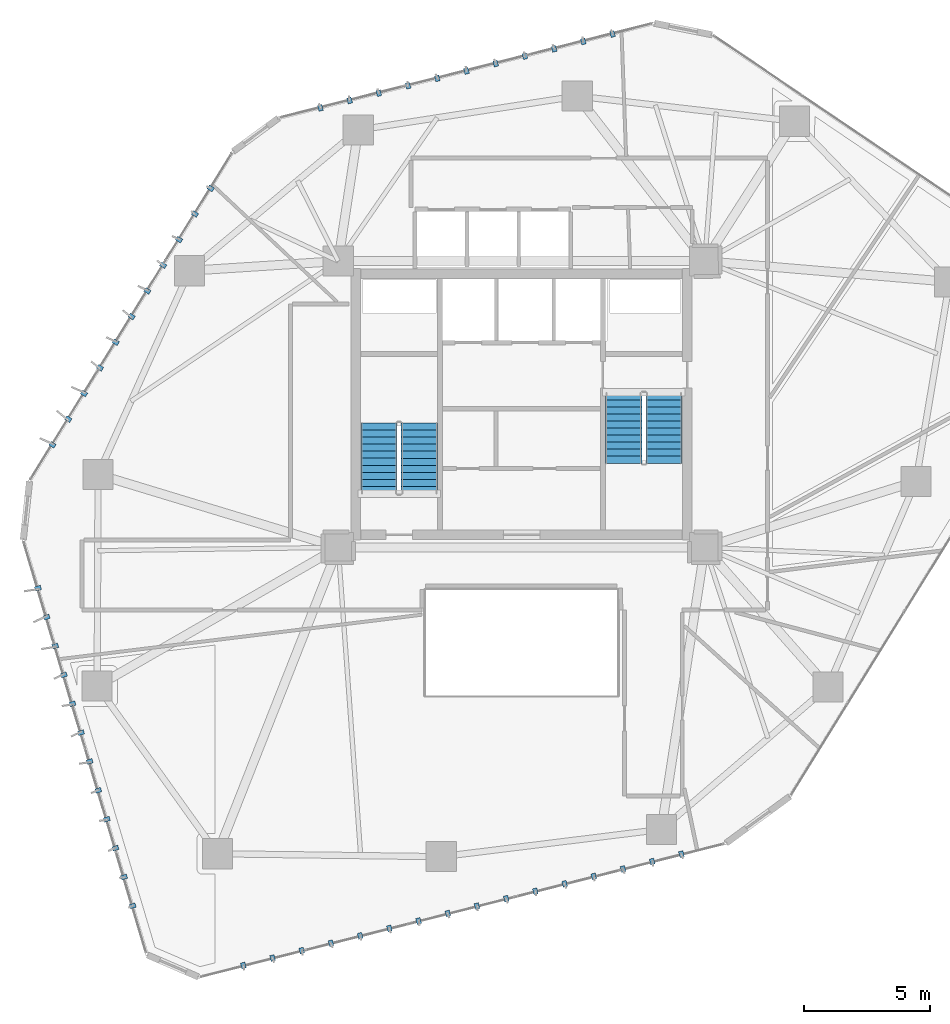
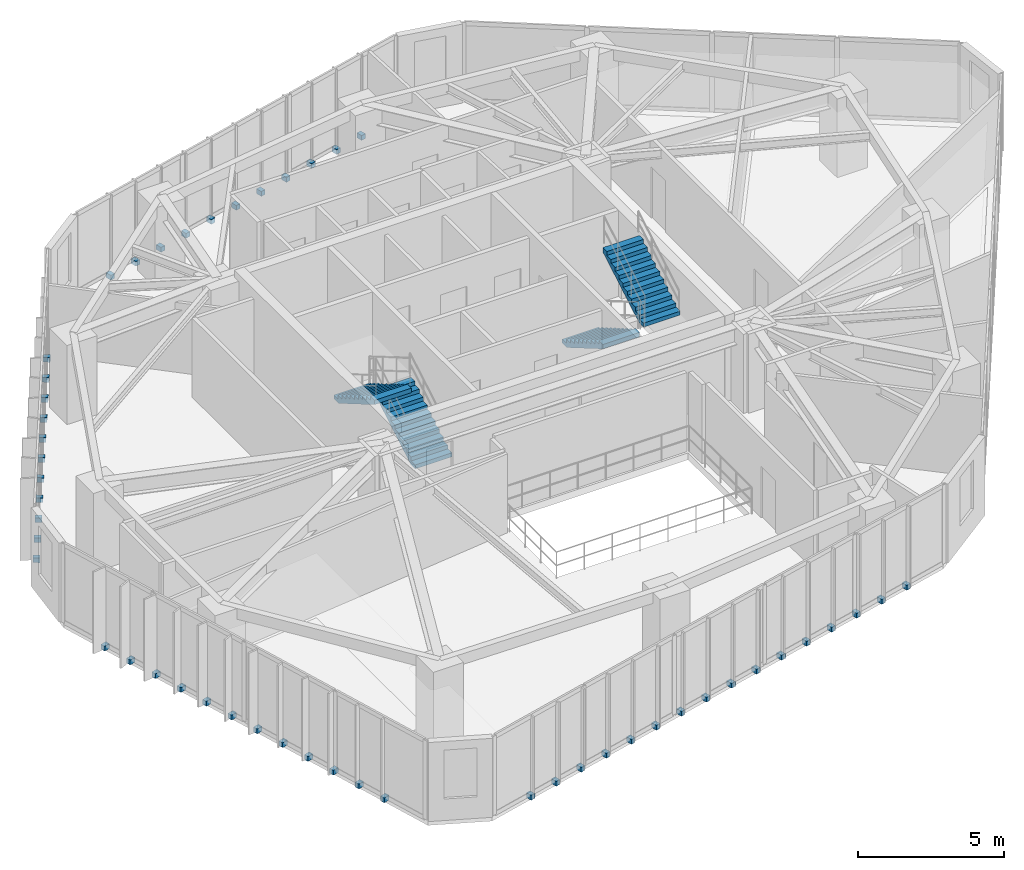
# One storey, part 18 of 20: 50 discrete accessories, 4 stair flights, 2 elements without a shape of their own.
"""IFC4 building model written with IfcOpenShell, lengths in metres."""

from ifc_helpers import new_model, si_unit, direction, frame, origin, origin_2d, place, context, subcontext, project, spatial, polyline, rectangle, outline, extrude, source, transform, mapped, material, layer, layer_set, type_object, type_shapes, element, aggregate, save


model = new_model("IFC4")

# Units and contexts
model_context = context("Model", 3, precision=1e-05, world=origin(), true_north=direction((0.0, 1.0)))
body_context = subcontext(model_context, "Body", "Model", "MODEL_VIEW")
ifc_project = project(units=[si_unit("LENGTHUNIT", "METRE"), si_unit("AREAUNIT", "SQUARE_METRE"), si_unit("VOLUMEUNIT", "CUBIC_METRE"), si_unit("PLANEANGLEUNIT", "RADIAN"), si_unit("MASSUNIT", "GRAM", prefix="KILO")], contexts=[model_context])

# Site, building, storey
site_placement = place(None, origin())
site = spatial("IfcSite", under=ifc_project, at=site_placement, CompositionType="ELEMENT")
building_placement = place(site_placement, origin())
building = spatial("IfcBuilding", under=site, at=building_placement, Name="Talar Marvaseh", CompositionType="ELEMENT")
storey_placement = place(building_placement, frame((0.0, 0.0, 132.60009765625)))
storey = spatial("IfcBuildingStorey", under=building, at=storey_placement, Name="L34", CompositionType="ELEMENT", Elevation=132.60009765625)

# Stair, stair flights
ifc_material_1 = material(Name="Concrete C40/50", Category="concrete")
stair_type = type_object("IfcStairType", Name="Reinforced Concrete Half-Turn Exit Stair Type B", PredefinedType="HALF_TURN_STAIR", material=ifc_material_1)
stair_1_placement = place(storey_placement, origin())
stair_1 = element("IfcStair", 1, at=stair_1_placement, inside=storey, type_object=stair_type, Name="L34 Tower West Core Exit Stair", PredefinedType="HALF_TURN_STAIR")
ifc_layer = layer(ifc_material_1, 0.159912109375)
ifc_layer_set = layer_set([ifc_layer], Name="Concrete C40/50")
stair_flight_type = type_object("IfcStairFlightType", Name="Reinforced Concrete Straight Stair Flight 160", PredefinedType="STRAIGHT", material=ifc_layer_set)
stair_flight_1_placement = place(storey_placement, frame((21.93505859375, 27.64990234375, 0.0), z_axis=(0.0, 0.0, 1.0), x_axis=(0.0, 1.0, 0.0)))
stair_flight_1 = element("IfcStairFlight", 2, at=stair_flight_1_placement, type_object=stair_flight_type, Name="ST-1 flight 1", NumberOfRisers=11, NumberOfTreads=10, PredefinedType="STRAIGHT", RiserHeight=0.163636364, TreadLength=0.28, context=body_context, shape_type="SweptSolid", body=[
    extrude(outline(polyline([(0.0, 0.0), (0.0, 0.16357421875), (0.280029296875, 0.16357421875), (0.280029296875, 0.327392578125), (0.56005859375, 0.327392578125), (0.56005859375, 0.490966796875), (0.840087890625, 0.490966796875), (0.840087890625, 0.654541015625), (1.1201171875, 0.654541015625), (1.1201171875, 0.818115234375), (1.39990234375, 0.818115234375), (1.39990234375, 0.98193359375), (1.679931640625, 0.98193359375), (1.679931640625, 1.1455078125), (1.9599609375, 1.1455078125), (1.9599609375, 1.30908203125), (2.239990234375, 1.30908203125), (2.239990234375, 1.47265625), (2.52001953125, 1.47265625), (2.52001953125, 1.636474609375), (2.800048828125, 1.636474609375), (2.800048828125, 1.800048828125), (2.800048828125, 1.451171875), (0.31689453125, 0.0), (0.0, 0.0)])), frame((0.0, 0.72509765625, 0.0), z_axis=(0.0, -1.0, 0.0), x_axis=(1.0, 0.0, 0.0)), (0.0, 0.0, 1.0), 1.449951171875),
])
stair_flight_2_placement = place(storey_placement, frame((20.324951171875, 30.449951171875, 1.7998046875), z_axis=(0.0, 0.0, 1.0), x_axis=(0.0, -1.0, 0.0)))
stair_flight_2 = element("IfcStairFlight", 3, at=stair_flight_2_placement, type_object=stair_flight_type, Name="ST-1 flight 2", NumberOfRisers=11, NumberOfTreads=10, PredefinedType="STRAIGHT", RiserHeight=0.163636364, TreadLength=0.28, context=body_context, shape_type="SweptSolid", body=[
    extrude(outline(polyline([(0.0, 0.0), (0.0, 0.16357421875), (0.280029296875, 0.16357421875), (0.280029296875, 0.327392578125), (0.56005859375, 0.327392578125), (0.56005859375, 0.490966796875), (0.840087890625, 0.490966796875), (0.840087890625, 0.654541015625), (1.1201171875, 0.654541015625), (1.1201171875, 0.818115234375), (1.39990234375, 0.818115234375), (1.39990234375, 0.98193359375), (1.679931640625, 0.98193359375), (1.679931640625, 1.1455078125), (1.9599609375, 1.1455078125), (1.9599609375, 1.30908203125), (2.239990234375, 1.30908203125), (2.239990234375, 1.47265625), (2.52001953125, 1.47265625), (2.52001953125, 1.636474609375), (2.800048828125, 1.636474609375), (2.800048828125, 1.800048828125), (2.800048828125, 1.451171875), (0.31689453125, 0.0), (0.0, 0.0)])), frame((0.0, 0.72509765625, 0.0), z_axis=(0.0, -1.0, 0.0), x_axis=(1.0, 0.0, 0.0)), (0.0, 0.0, 1.0), 1.449951171875),
])
aggregate(stair_1, [stair_flight_1, stair_flight_2])

stair_2_placement = place(storey_placement, origin())
stair_2 = element("IfcStair", 4, at=stair_2_placement, inside=storey, type_object=stair_type, Name="L34 Tower East Core Exit Stair", PredefinedType="HALF_TURN_STAIR")
stair_flight_3_placement = place(storey_placement, frame((30.06494140625, 31.64990234375, 0.0), z_axis=(0.0, 0.0, 1.0), x_axis=(0.0, -1.0, 0.0)))
stair_flight_3 = element("IfcStairFlight", 5, at=stair_flight_3_placement, type_object=stair_flight_type, Name="ST-2 flight 1", NumberOfRisers=11, NumberOfTreads=10, PredefinedType="STRAIGHT", RiserHeight=0.163636364, TreadLength=0.28, context=body_context, shape_type="SweptSolid", body=[
    extrude(outline(polyline([(0.0, 0.0), (0.0, 0.16357421875), (0.280029296875, 0.16357421875), (0.280029296875, 0.327392578125), (0.56005859375, 0.327392578125), (0.56005859375, 0.490966796875), (0.840087890625, 0.490966796875), (0.840087890625, 0.654541015625), (1.1201171875, 0.654541015625), (1.1201171875, 0.818115234375), (1.39990234375, 0.818115234375), (1.39990234375, 0.98193359375), (1.679931640625, 0.98193359375), (1.679931640625, 1.1455078125), (1.9599609375, 1.1455078125), (1.9599609375, 1.30908203125), (2.239990234375, 1.30908203125), (2.239990234375, 1.47265625), (2.52001953125, 1.47265625), (2.52001953125, 1.636474609375), (2.800048828125, 1.636474609375), (2.800048828125, 1.800048828125), (2.800048828125, 1.451171875), (0.31689453125, 0.0), (0.0, 0.0)])), frame((0.0, 0.72509765625, 0.0), z_axis=(0.0, -1.0, 0.0), x_axis=(1.0, 0.0, 0.0)), (0.0, 0.0, 1.0), 1.449951171875),
])
stair_flight_4_placement = place(storey_placement, frame((31.675048828125, 28.85009765625, 1.7998046875), z_axis=(0.0, 0.0, 1.0), x_axis=(0.0, 1.0, 0.0)))
stair_flight_4 = element("IfcStairFlight", 6, at=stair_flight_4_placement, type_object=stair_flight_type, Name="ST-2 flight 2", NumberOfRisers=11, NumberOfTreads=10, PredefinedType="STRAIGHT", RiserHeight=0.163636364, TreadLength=0.28, context=body_context, shape_type="SweptSolid", body=[
    extrude(outline(polyline([(0.0, 0.0), (0.0, 0.16357421875), (0.280029296875, 0.16357421875), (0.280029296875, 0.327392578125), (0.56005859375, 0.327392578125), (0.56005859375, 0.490966796875), (0.840087890625, 0.490966796875), (0.840087890625, 0.654541015625), (1.1201171875, 0.654541015625), (1.1201171875, 0.818115234375), (1.39990234375, 0.818115234375), (1.39990234375, 0.98193359375), (1.679931640625, 0.98193359375), (1.679931640625, 1.1455078125), (1.9599609375, 1.1455078125), (1.9599609375, 1.30908203125), (2.239990234375, 1.30908203125), (2.239990234375, 1.47265625), (2.52001953125, 1.47265625), (2.52001953125, 1.636474609375), (2.800048828125, 1.636474609375), (2.800048828125, 1.800048828125), (2.800048828125, 1.451171875), (0.31689453125, 0.0), (0.0, 0.0)])), frame((0.0, 0.72509765625, 0.0), z_axis=(0.0, -1.0, 0.0), x_axis=(1.0, 0.0, 0.0)), (0.0, 0.0, 1.0), 1.449951171875),
])
aggregate(stair_2, [stair_flight_3, stair_flight_4])

# Discrete accessories
ifc_material_2 = material(Name="Stainless Steel Grade 316", Category="steel")
discrete_accessory_type = type_object("IfcDiscreteAccessoryType", Name="Stainless Slab-Edge Fin Mounting Bracket", PredefinedType="BRACKET", material=ifc_material_2)
shared_shape = source(origin(), body_context, "Body", "SweptSolid", [
    extrude(rectangle(XDim=0.239990234375, YDim=0.179931640625, at=origin_2d()), origin(), (0.0, 0.0, 1.0), 0.199951171875),
])
type_shapes(discrete_accessory_type, [shared_shape])
for number, where, z_axis, x_axis, name in (
    (7, (10.5166015625, 11.22265625, -0.18017578125), (0.0, 0.0, 1.0), (-0.958322574465, -0.285688367405, 0.0), "L34 Vertical Fin Slab-Edge Bracket"),
    (8, (10.174072265625, 12.372802734375, -0.18017578125), (0.0, 0.0, 1.0), (-0.958322574465, -0.285688367405, 0.0), "L34 Vertical Fin Slab-Edge Bracket"),
    (9, (9.831298828125, 13.522705078125, -0.18017578125), (0.0, 0.0, 1.0), (-0.958322574465, -0.285688367405, 0.0), "L34 Vertical Fin Slab-Edge Bracket"),
    (10, (9.488525390625, 14.6728515625, -0.18017578125), (0.0, 0.0, 1.0), (-0.958322574465, -0.285688367405, 0.0), "L34 Vertical Fin Slab-Edge Bracket"),
    (11, (9.145751953125, 15.82275390625, -0.18017578125), (0.0, 0.0, 1.0), (-0.958322574465, -0.285688367405, 0.0), "L34 Vertical Fin Slab-Edge Bracket"),
    (12, (8.802978515625, 16.972900390625, -0.18017578125), (0.0, 0.0, 1.0), (-0.958322574465, -0.285688367405, 0.0), "L34 Vertical Fin Slab-Edge Bracket"),
    (13, (8.460205078125, 18.122802734375, -0.18017578125), (0.0, 0.0, 1.0), (-0.958322574465, -0.285688367405, 0.0), "L34 Vertical Fin Slab-Edge Bracket"),
    (14, (8.117431640625, 19.272705078125, -0.18017578125), (0.0, 0.0, 1.0), (-0.958322574465, -0.285688367405, 0.0), "L34 Vertical Fin Slab-Edge Bracket"),
    (15, (7.774658203125, 20.4228515625, -0.18017578125), (0.0, 0.0, 1.0), (-0.958322574465, -0.285688367405, 0.0), "L34 Vertical Fin Slab-Edge Bracket"),
    (16, (7.431884765625, 21.57275390625, -0.18017578125), (0.0, 0.0, 1.0), (-0.958322574465, -0.285688367405, 0.0), "L34 Vertical Fin Slab-Edge Bracket"),
    (17, (7.089111328125, 22.722900390625, -0.18017578125), (0.0, 0.0, 1.0), (-0.958322574465, -0.285688367405, 0.0), "L34 Vertical Fin Slab-Edge Bracket"),
    (18, (6.746337890625, 23.872802734375, -0.18017578125), (0.0, 0.0, 1.0), (-0.958322574465, -0.285688367405, 0.0), "L34 Vertical Fin Slab-Edge Bracket"),
    (19, (7.320556640625, 29.587890625, -0.18017578125), (0.0, 0.0, 1.0), (-0.850994481795, 0.525174629961, 0.0), "L34 Vertical Fin Slab-Edge Bracket"),
    (20, (7.950927734375, 30.60888671875, -0.18017578125), (0.0, 0.0, 1.0), (-0.850994481795, 0.525174629961, 0.0), "L34 Vertical Fin Slab-Edge Bracket"),
    (21, (8.5810546875, 31.630126953125, -0.18017578125), (0.0, 0.0, 1.0), (-0.850994481795, 0.525174629961, 0.0), "L34 Vertical Fin Slab-Edge Bracket"),
    (22, (9.21142578125, 32.6513671875, -0.18017578125), (0.0, 0.0, 1.0), (-0.850994481795, 0.525174629961, 0.0), "L34 Vertical Fin Slab-Edge Bracket"),
    (23, (9.841552734375, 33.672607421875, -0.18017578125), (0.0, 0.0, 1.0), (-0.850994481795, 0.525174629961, 0.0), "L34 Vertical Fin Slab-Edge Bracket"),
    (24, (10.471923828125, 34.693603515625, -0.18017578125), (0.0, 0.0, 1.0), (-0.850994481795, 0.525174629961, 0.0), "L34 Vertical Fin Slab-Edge Bracket"),
    (25, (11.10205078125, 35.71484375, -0.18017578125), (0.0, 0.0, 1.0), (-0.850994481795, 0.525174629961, 0.0), "L34 Vertical Fin Slab-Edge Bracket"),
    (26, (11.732421875, 36.736083984375, -0.18017578125), (0.0, 0.0, 1.0), (-0.850994481795, 0.525174629961, 0.0), "L34 Vertical Fin Slab-Edge Bracket"),
    (27, (12.362548828125, 37.757080078125, -0.18017578125), (0.0, 0.0, 1.0), (-0.850994481795, 0.525174629961, 0.0), "L34 Vertical Fin Slab-Edge Bracket"),
    (28, (12.992919921875, 38.7783203125, -0.18017578125), (0.0, 0.0, 1.0), (-0.850994481795, 0.525174629961, 0.0), "L34 Vertical Fin Slab-Edge Bracket"),
    (29, (13.623046875, 39.799560546875, -0.18017578125), (0.0, 0.0, 1.0), (-0.850994481795, 0.525174629961, 0.0), "L34 Vertical Fin Slab-Edge Bracket"),
    (30, (17.991455078125, 43.002685546875, -0.18017578125), (0.0, 0.0, 1.0), (-0.244968970675, 0.969530919263, 0.0), "L34 Vertical Fin Slab-Edge Bracket"),
    (31, (19.15478515625, 43.296630859375, -0.18017578125), (0.0, 0.0, 1.0), (-0.244968970675, 0.969530919263, 0.0), "L34 Vertical Fin Slab-Edge Bracket"),
    (32, (20.318359375, 43.590576171875, -0.18017578125), (0.0, 0.0, 1.0), (-0.244968970675, 0.969530919263, 0.0), "L34 Vertical Fin Slab-Edge Bracket"),
    (33, (21.481689453125, 43.884521484375, -0.18017578125), (0.0, 0.0, 1.0), (-0.244968970675, 0.969530919263, 0.0), "L34 Vertical Fin Slab-Edge Bracket"),
    (34, (22.645263671875, 44.1787109375, -0.18017578125), (0.0, 0.0, 1.0), (-0.244968970675, 0.969530919263, 0.0), "L34 Vertical Fin Slab-Edge Bracket"),
    (35, (23.80859375, 44.47265625, -0.18017578125), (0.0, 0.0, 1.0), (-0.244968970675, 0.969530919263, 0.0), "L34 Vertical Fin Slab-Edge Bracket"),
    (36, (24.97216796875, 44.7666015625, -0.18017578125), (0.0, 0.0, 1.0), (-0.244968970675, 0.969530919263, 0.0), "L34 Vertical Fin Slab-Edge Bracket"),
    (37, (26.135498046875, 45.060546875, -0.18017578125), (0.0, 0.0, 1.0), (-0.244968970675, 0.969530919263, 0.0), "L34 Vertical Fin Slab-Edge Bracket"),
    (38, (27.298828125, 45.354736328125, -0.18017578125), (0.0, 0.0, 1.0), (-0.244968970675, 0.969530919263, 0.0), "L34 Vertical Fin Slab-Edge Bracket"),
    (39, (28.46240234375, 45.648681640625, -0.18017578125), (0.0, 0.0, 1.0), (-0.244968970675, 0.969530919263, 0.0), "L34 Vertical Fin Slab-Edge Bracket"),
    (40, (29.625732421875, 45.942626953125, -0.18017578125), (0.0, 0.0, 1.0), (-0.244968970675, 0.969530919263, 0.0), "L34 Vertical Fin Slab-Edge Bracket"),
    (41, (32.368896484375, 13.2841796875, -0.18017578125), (0.0, 0.0, 1.0), (0.246322451985, -0.96918793309, 0.0), "L34 Vertical Fin Slab-Edge Bracket"),
    (42, (31.205810546875, 12.988525390625, -0.18017578125), (0.0, 0.0, 1.0), (0.246322451985, -0.96918793309, 0.0), "L34 Vertical Fin Slab-Edge Bracket"),
    (43, (30.04296875, 12.693115234375, -0.18017578125), (0.0, 0.0, 1.0), (0.246322451985, -0.96918793309, 0.0), "L34 Vertical Fin Slab-Edge Bracket"),
    (44, (28.8798828125, 12.3974609375, -0.18017578125), (0.0, 0.0, 1.0), (0.246322451985, -0.96918793309, 0.0), "L34 Vertical Fin Slab-Edge Bracket"),
    (45, (27.716796875, 12.101806640625, -0.18017578125), (0.0, 0.0, 1.0), (0.246322451985, -0.96918793309, 0.0), "L34 Vertical Fin Slab-Edge Bracket"),
    (46, (26.5537109375, 11.806396484375, -0.18017578125), (0.0, 0.0, 1.0), (0.246322451985, -0.96918793309, 0.0), "L34 Vertical Fin Slab-Edge Bracket"),
    (47, (25.390625, 11.5107421875, -0.18017578125), (0.0, 0.0, 1.0), (0.246322451985, -0.96918793309, 0.0), "L34 Vertical Fin Slab-Edge Bracket"),
    (48, (24.227783203125, 11.215087890625, -0.18017578125), (0.0, 0.0, 1.0), (0.246322451985, -0.96918793309, 0.0), "L34 Vertical Fin Slab-Edge Bracket"),
    (49, (23.064697265625, 10.919677734375, -0.18017578125), (0.0, 0.0, 1.0), (0.246322451985, -0.96918793309, 0.0), "L34 Vertical Fin Slab-Edge Bracket"),
    (50, (21.901611328125, 10.6240234375, -0.18017578125), (0.0, 0.0, 1.0), (0.246322451985, -0.96918793309, 0.0), "L34 Vertical Fin Slab-Edge Bracket"),
    (51, (20.738525390625, 10.32861328125, -0.18017578125), (0.0, 0.0, 1.0), (0.246322451985, -0.96918793309, 0.0), "L34 Vertical Fin Slab-Edge Bracket"),
    (52, (19.57568359375, 10.032958984375, -0.18017578125), (0.0, 0.0, 1.0), (0.246322451985, -0.96918793309, 0.0), "L34 Vertical Fin Slab-Edge Bracket"),
    (53, (18.41259765625, 9.7373046875, -0.18017578125), (0.0, 0.0, 1.0), (0.246322451985, -0.96918793309, 0.0), "L34 Vertical Fin Slab-Edge Bracket"),
    (54, (17.24951171875, 9.44189453125, -0.18017578125), (0.0, 0.0, 1.0), (0.246322451985, -0.96918793309, 0.0), "L34 Vertical Fin Slab-Edge Bracket"),
    (55, (16.08642578125, 9.146240234375, -0.18017578125), (0.0, 0.0, 1.0), (0.246322451985, -0.96918793309, 0.0), "L34 Vertical Fin Slab-Edge Bracket"),
    (56, (14.923583984375, 8.8505859375, -0.18017578125), (0.0, 0.0, 1.0), (0.246322451985, -0.96918793309, 0.0), "L34 Vertical Fin Slab-Edge Bracket"),
):
    element("IfcDiscreteAccessory", number, at=place(storey_placement, frame(where, z_axis=z_axis, x_axis=x_axis)), inside=storey, type_object=discrete_accessory_type, Name=name, PredefinedType="BRACKET", context=body_context, shape_type="MappedRepresentation", body=[
        mapped(shared_shape, transform((0.0, 0.0, 0.0), x_axis=(1.0, 0.0, 0.0), y_axis=(0.0, 1.0, 0.0), z_axis=(0.0, 0.0, 1.0), scale=1.0)),
    ])

save(model, "model.ifc")
